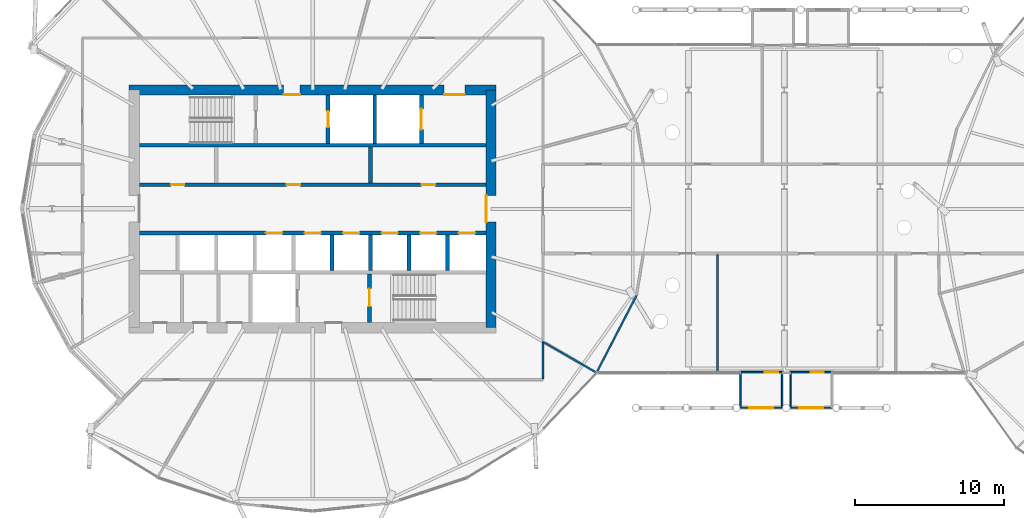
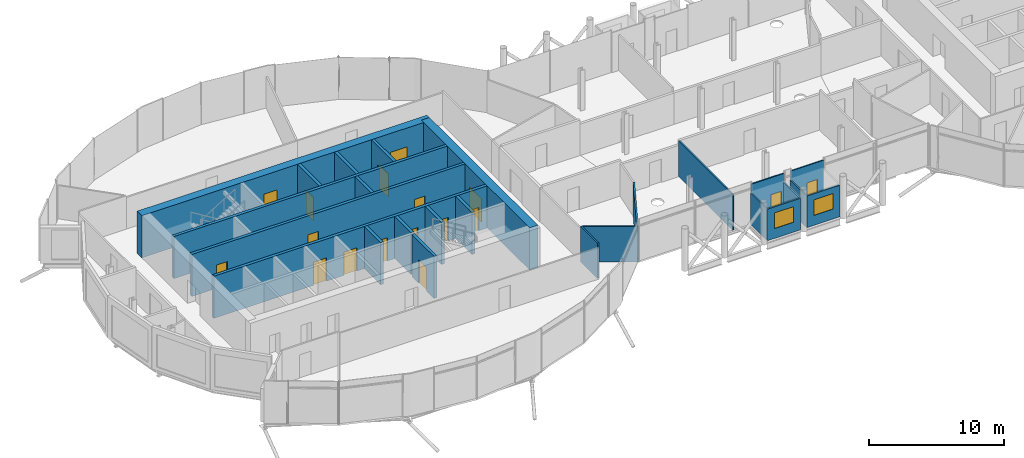
# One storey, part 25 of 39: 25 walls, 17 doors, 2 windows, 19 openings.
"""IFC4 building model written with IfcOpenShell, lengths in metres."""

from ifc_helpers import new_model, si_unit, direction, frame, frame_2d, origin, place, context, subcontext, project, spatial, rectangle, extrude, material, layer, layer_set, type_object, element, fill, save


model = new_model("IFC4")

# Units and contexts
model_context = context("Model", 3, precision=1e-05, world=origin(), true_north=direction((0.0, 1.0)))
body_context = subcontext(model_context, "Body", "Model", "MODEL_VIEW")
ifc_project = project(units=[si_unit("LENGTHUNIT", "METRE"), si_unit("AREAUNIT", "SQUARE_METRE"), si_unit("VOLUMEUNIT", "CUBIC_METRE"), si_unit("PLANEANGLEUNIT", "RADIAN"), si_unit("MASSUNIT", "GRAM", prefix="KILO")], contexts=[model_context])

# Site, building, storey
site_placement = place(None, origin())
site = spatial("IfcSite", under=ifc_project, at=site_placement, CompositionType="ELEMENT")
building_placement = place(site_placement, origin())
building = spatial("IfcBuilding", under=site, at=building_placement, Name="Rimbun Link Towers", CompositionType="ELEMENT")
storey_placement = place(building_placement, frame((0.0, 0.0, 143.0)))
storey = spatial("IfcBuildingStorey", under=building, at=storey_placement, Name="L34", CompositionType="ELEMENT", Elevation=143.0)

# Wall
ifc_material_1 = material(Name="Terracotta-faced insulated sandwich panel", Category="masonry")
ifc_layer_1 = layer(ifc_material_1, 0.10009765625)
ifc_layer_set_1 = layer_set([ifc_layer_1], Name="CAPSULE shell panel 100")
wall_type_1 = type_object("IfcWallType", Name="CAPSULE shell panel 100", PredefinedType="STANDARD", material=ifc_layer_set_1)
wall_1_placement = place(storey_placement, frame((-2.95556640625, -11.0, -0.06005859375), z_axis=(0.0, 0.0, 1.0), x_axis=(0.0, -1.0, 0.0)))
element("IfcWall", 1, at=wall_1_placement, inside=storey, type_object=wall_type_1, Name="CAPSULE F34.11 shell panel 1", PredefinedType="STANDARD", context=body_context, shape_type="SweptSolid", body=[
    extrude(rectangle(XDim=2.39990234375, YDim=0.10009765625, at=frame_2d((1.199951171875, 0.0))), origin(), (0.0, 0.0, 1.0), 2.85009765625),
])

# Wall, opening, window
wall_2_placement = place(storey_placement, frame((-2.95556640625, -13.39990234375, -0.06005859375), z_axis=(0.0, 0.0, 1.0), x_axis=(1.0, 0.0, 0.0)))
wall_2 = element("IfcWall", 2, at=wall_2_placement, inside=storey, type_object=wall_type_1, Name="CAPSULE F34.11 shell panel 2", PredefinedType="STANDARD", context=body_context, shape_type="SweptSolid", body=[
    extrude(rectangle(XDim=2.7998046875, YDim=0.10009765625, at=frame_2d((1.39990234375, 0.0))), origin(), (0.0, 0.0, 1.0), 2.85009765625),
])
opening_1_placement = place(wall_2_placement, frame((0.60009765625, 0.0, 0.89990234375)))
opening_1 = element("IfcOpeningElement", 3, at=opening_1_placement, cuts=wall_2, Name="Opening CN34.11", PredefinedType="OPENING", context=body_context, shape_type="SweptSolid", body=[
    extrude(rectangle(XDim=1.60009765625, YDim=1.39990234375, at=frame_2d((0.800048828125, 0.699951171875))), frame((0.0, 0.06005859375, 0.0), z_axis=(0.0, -1.0, 0.0), x_axis=(1.0, 0.0, 0.0)), (0.0, 0.0, 1.0), 0.1201171875),
])
ifc_material_2 = material(Name="Aluminium framed window, low-iron glass", Category="aluminium")
window_type = type_object("IfcWindowType", Name="CAPSULE window 1600X1400", PartitioningType="SINGLE_PANEL", PredefinedType="WINDOW", material=ifc_material_2)
window_1_placement = place(opening_1_placement, origin())
window_1 = element("IfcWindow", 4, at=window_1_placement, inside=storey, type_object=window_type, Name="CAPSULE F34.11 window", OverallHeight=1.39990234375, OverallWidth=1.60009765625, PartitioningType="SINGLE_PANEL", PredefinedType="WINDOW", context=body_context, shape_type="SweptSolid", body=[
    extrude(rectangle(XDim=1.60009765625, YDim=1.39990234375, at=frame_2d((0.800048828125, 0.699951171875))), frame((0.0, 0.030029296875, 0.0), z_axis=(0.0, -1.0, 0.0), x_axis=(1.0, 0.0, 0.0)), (0.0, 0.0, 1.0), 0.06005859375),
])
fill(opening_1, window_1)

# Wall
wall_3_placement = place(storey_placement, frame((-0.15576171875, -13.39990234375, -0.06005859375), z_axis=(0.0, 0.0, 1.0), x_axis=(0.0, 1.0, 0.0)))
element("IfcWall", 5, at=wall_3_placement, inside=storey, type_object=wall_type_1, Name="CAPSULE F34.11 shell panel 3", PredefinedType="STANDARD", context=body_context, shape_type="SweptSolid", body=[
    extrude(rectangle(XDim=2.39990234375, YDim=0.10009765625, at=frame_2d((1.199951171875, 0.0))), origin(), (0.0, 0.0, 1.0), 2.85009765625),
])

# Wall, opening, door
wall_4_placement = place(storey_placement, frame((-0.15576171875, -11.0, -0.06005859375), z_axis=(0.0, 0.0, 1.0), x_axis=(-1.0, 0.0, 0.0)))
wall_4 = element("IfcWall", 6, at=wall_4_placement, inside=storey, type_object=wall_type_1, Name="CAPSULE F34.11 shell panel 4", PredefinedType="STANDARD", context=body_context, shape_type="SweptSolid", body=[
    extrude(rectangle(XDim=2.7998046875, YDim=0.10009765625, at=frame_2d((1.39990234375, 0.0))), origin(), (0.0, 0.0, 1.0), 3.64013671875),
])
opening_2_placement = place(wall_4_placement, frame((0.25, 0.0, 0.0)))
opening_2 = element("IfcOpeningElement", 7, at=opening_2_placement, cuts=wall_4, Name="Opening CD34.11", PredefinedType="OPENING", context=body_context, shape_type="SweptSolid", body=[
    extrude(rectangle(XDim=0.89990234375, YDim=2.10009765625, at=frame_2d((0.449951171875, 1.050048828125))), frame((0.0, 0.06005859375, 0.0), z_axis=(0.0, -1.0, 0.0), x_axis=(1.0, 0.0, 0.0)), (0.0, 0.0, 1.0), 0.1201171875),
])
ifc_material_3 = material(Name="Aluminium framed insulated door leaf", Category="aluminium")
door_type_1 = type_object("IfcDoorType", Name="CAPSULE door single leaf 900X2100", OperationType="SINGLE_SWING_LEFT", PredefinedType="DOOR", material=ifc_material_3)
door_1_placement = place(opening_2_placement, origin())
door_1 = element("IfcDoor", 8, at=door_1_placement, inside=storey, type_object=door_type_1, Name="CAPSULE F34.11 door", OperationType="SINGLE_SWING_RIGHT", OverallHeight=2.10009765625, OverallWidth=0.89990234375, PredefinedType="DOOR", context=body_context, shape_type="SweptSolid", body=[
    extrude(rectangle(XDim=0.89990234375, YDim=2.10009765625, at=frame_2d((0.449951171875, 1.050048828125))), frame((0.0, 0.02490234375, 0.0), z_axis=(0.0, -1.0, 0.0), x_axis=(1.0, 0.0, 0.0)), (0.0, 0.0, 1.0), 0.050048828125),
])
fill(opening_2, door_1)

# Wall
wall_5_placement = place(storey_placement, frame((0.413330078125, -11.0, -0.06005859375), z_axis=(0.0, 0.0, 1.0), x_axis=(0.0, -1.0, 0.0)))
element("IfcWall", 9, at=wall_5_placement, inside=storey, type_object=wall_type_1, Name="CAPSULE F34.12 shell panel 1", PredefinedType="STANDARD", context=body_context, shape_type="SweptSolid", body=[
    extrude(rectangle(XDim=2.39990234375, YDim=0.10009765625, at=frame_2d((1.199951171875, 0.0))), origin(), (0.0, 0.0, 1.0), 2.85009765625),
])

# Wall, opening, window
wall_6_placement = place(storey_placement, frame((0.413330078125, -13.39990234375, -0.06005859375), z_axis=(0.0, 0.0, 1.0), x_axis=(1.0, 0.0, 0.0)))
wall_6 = element("IfcWall", 10, at=wall_6_placement, inside=storey, type_object=wall_type_1, Name="CAPSULE F34.12 shell panel 2", PredefinedType="STANDARD", context=body_context, shape_type="SweptSolid", body=[
    extrude(rectangle(XDim=2.800048828125, YDim=0.10009765625, at=frame_2d((1.39990234375, 0.0))), origin(), (0.0, 0.0, 1.0), 2.85009765625),
])
opening_3_placement = place(wall_6_placement, frame((0.60009765625, 0.0, 0.89990234375)))
opening_3 = element("IfcOpeningElement", 11, at=opening_3_placement, cuts=wall_6, Name="Opening CN34.12", PredefinedType="OPENING", context=body_context, shape_type="SweptSolid", body=[
    extrude(rectangle(XDim=1.60009765625, YDim=1.39990234375, at=frame_2d((0.800048828125, 0.699951171875))), frame((0.0, 0.06005859375, 0.0), z_axis=(0.0, -1.0, 0.0), x_axis=(1.0, 0.0, 0.0)), (0.0, 0.0, 1.0), 0.1201171875),
])
window_2_placement = place(opening_3_placement, origin())
window_2 = element("IfcWindow", 12, at=window_2_placement, inside=storey, type_object=window_type, Name="CAPSULE F34.12 window", OverallHeight=1.39990234375, OverallWidth=1.60009765625, PartitioningType="SINGLE_PANEL", PredefinedType="WINDOW", context=body_context, shape_type="SweptSolid", body=[
    extrude(rectangle(XDim=1.60009765625, YDim=1.39990234375, at=frame_2d((0.800048828125, 0.699951171875))), frame((0.0, 0.030029296875, 0.0), z_axis=(0.0, -1.0, 0.0), x_axis=(1.0, 0.0, 0.0)), (0.0, 0.0, 1.0), 0.06005859375),
])
fill(opening_3, window_2)

# Wall, opening, door
wall_7_placement = place(storey_placement, frame((3.21337890625, -11.0, -0.06005859375), z_axis=(0.0, 0.0, 1.0), x_axis=(-1.0, 0.0, 0.0)))
wall_7 = element("IfcWall", 13, at=wall_7_placement, inside=storey, type_object=wall_type_1, Name="CAPSULE F34.12 shell panel 4", PredefinedType="STANDARD", context=body_context, shape_type="SweptSolid", body=[
    extrude(rectangle(XDim=2.800048828125, YDim=0.10009765625, at=frame_2d((1.39990234375, 0.0))), origin(), (0.0, 0.0, 1.0), 3.64013671875),
])
opening_4_placement = place(wall_7_placement, frame((0.550048828125, 0.0, 0.0)))
opening_4 = element("IfcOpeningElement", 14, at=opening_4_placement, cuts=wall_7, Name="Opening CD34.12", PredefinedType="OPENING", context=body_context, shape_type="SweptSolid", body=[
    extrude(rectangle(XDim=0.89990234375, YDim=2.10009765625, at=frame_2d((0.449951171875, 1.050048828125))), frame((0.0, 0.06005859375, 0.0), z_axis=(0.0, -1.0, 0.0), x_axis=(1.0, 0.0, 0.0)), (0.0, 0.0, 1.0), 0.1201171875),
])
door_2_placement = place(opening_4_placement, origin())
door_2 = element("IfcDoor", 15, at=door_2_placement, inside=storey, type_object=door_type_1, Name="CAPSULE F34.12 door", OperationType="SINGLE_SWING_LEFT", OverallHeight=2.10009765625, OverallWidth=0.89990234375, PredefinedType="DOOR", context=body_context, shape_type="SweptSolid", body=[
    extrude(rectangle(XDim=0.89990234375, YDim=2.10009765625, at=frame_2d((0.449951171875, 1.050048828125))), frame((0.0, 0.02490234375, 0.0), z_axis=(0.0, -1.0, 0.0), x_axis=(1.0, 0.0, 0.0)), (0.0, 0.0, 1.0), 0.050048828125),
])
fill(opening_4, door_2)

# Wall, openings, doors
ifc_material_4 = material(Name="Concrete C60/75", Category="concrete")
ifc_layer_2 = layer(ifc_material_4, 0.699951171875)
ifc_layer_set_2 = layer_set([ifc_layer_2], Name="Core shear wall 700")
wall_type_2 = type_object("IfcWallType", Name="Core shear wall 700", PredefinedType="SHEAR", material=ifc_layer_set_2)
wall_8_placement = place(storey_placement, frame((-44.10009765625, 8.0, 0.0), z_axis=(0.0, 0.0, 1.0), x_axis=(1.0, 0.0, 0.0)))
wall_8 = element("IfcWall", 16, at=wall_8_placement, inside=storey, type_object=wall_type_2, Name="L34 T1 core wall N", PredefinedType="SHEAR", context=body_context, shape_type="SweptSolid", body=[
    extrude(rectangle(XDim=24.7001953125, YDim=0.699951171875, at=frame_2d((12.35009765625, 0.0))), origin(), (0.0, 0.0, 1.0), 3.800048828125),
])
opening_5_placement = place(wall_8_placement, frame((10.39990234375, 0.0, 0.0)))
opening_5 = element("IfcOpeningElement", 17, at=opening_5_placement, cuts=wall_8, Name="Opening C1DCF01N", PredefinedType="OPENING", context=body_context, shape_type="SweptSolid", body=[
    extrude(rectangle(XDim=1.10009765625, YDim=2.10009765625, at=frame_2d((0.550048828125, 1.050048828125))), frame((0.0, 0.35986328125, 0.0), z_axis=(0.0, -1.0, 0.0), x_axis=(1.0, 0.0, 0.0)), (0.0, 0.0, 1.0), 0.719970703125),
])
opening_6_placement = place(wall_8_placement, frame((21.199951171875, 0.0, 0.0)))
opening_6 = element("IfcOpeningElement", 18, at=opening_6_placement, cuts=wall_8, Name="Opening C1DSL02N", PredefinedType="OPENING", context=body_context, shape_type="SweptSolid", body=[
    extrude(rectangle(XDim=1.39990234375, YDim=2.10009765625, at=frame_2d((0.699951171875, 1.050048828125))), frame((0.0, 0.35986328125, 0.0), z_axis=(0.0, -1.0, 0.0), x_axis=(1.0, 0.0, 0.0)), (0.0, 0.0, 1.0), 0.719970703125),
])
ifc_material_5 = material(Name="Steel fire door set", Category="steel")
door_type_2 = type_object("IfcDoorType", Name="Core fire door single", OperationType="SINGLE_SWING_LEFT", PredefinedType="DOOR", material=ifc_material_5)
door_3_placement = place(opening_5_placement, origin())
door_3 = element("IfcDoor", 19, at=door_3_placement, inside=storey, type_object=door_type_2, Name="L34 T1 firefighting lobby n door", OperationType="SINGLE_SWING_LEFT", OverallHeight=2.10009765625, OverallWidth=1.10009765625, PredefinedType="DOOR", context=body_context, shape_type="SweptSolid", body=[
    extrude(rectangle(XDim=1.10009765625, YDim=2.10009765625, at=frame_2d((0.550048828125, 1.050048828125))), frame((0.0, -0.2998046875, 0.0), z_axis=(0.0, -1.0, 0.0), x_axis=(1.0, 0.0, 0.0)), (0.0, 0.0, 1.0), 0.050048828125),
])
fill(opening_5, door_3)
ifc_material_6 = material(Name="Steel fire door set", Category="steel")
door_type_3 = type_object("IfcDoorType", Name="Service lobby door double", OperationType="DOUBLE_DOOR_SINGLE_SWING", PredefinedType="DOOR", material=ifc_material_6)
door_4_placement = place(opening_6_placement, origin())
door_4 = element("IfcDoor", 20, at=door_4_placement, inside=storey, type_object=door_type_3, Name="L34 T1 service lobby door", OperationType="DOUBLE_DOOR_SINGLE_SWING", OverallHeight=2.10009765625, OverallWidth=1.39990234375, PredefinedType="DOOR", context=body_context, shape_type="SweptSolid", body=[
    extrude(rectangle(XDim=1.39990234375, YDim=2.10009765625, at=frame_2d((0.699951171875, 1.050048828125))), frame((0.0, -0.2998046875, 0.0), z_axis=(0.0, -1.0, 0.0), x_axis=(1.0, 0.0, 0.0)), (0.0, 0.0, 1.0), 0.050048828125),
])
fill(opening_6, door_4)

# Wall, opening, door
wall_9_placement = place(storey_placement, frame((-19.75, -8.0, 0.0), z_axis=(0.0, 0.0, 1.0), x_axis=(0.0, 1.0, 0.0)))
wall_9 = element("IfcWall", 21, at=wall_9_placement, inside=storey, type_object=wall_type_2, Name="L34 T1 core wall E", PredefinedType="SHEAR", context=body_context, shape_type="SweptSolid", body=[
    extrude(rectangle(XDim=16.0, YDim=0.699951171875, at=frame_2d((8.0, 0.0))), origin(), (0.0, 0.0, 1.0), 3.800048828125),
])
opening_7_placement = place(wall_9_placement, frame((7.10009765625, 0.0, 0.0)))
opening_7 = element("IfcOpeningElement", 22, at=opening_7_placement, cuts=wall_9, Name="Opening C1DCL01E", PredefinedType="OPENING", context=body_context, shape_type="SweptSolid", body=[
    extrude(rectangle(XDim=1.800048828125, YDim=2.10009765625, at=frame_2d((0.89990234375, 1.050048828125))), frame((0.0, 0.35986328125, 0.0), z_axis=(0.0, -1.0, 0.0), x_axis=(1.0, 0.0, 0.0)), (0.0, 0.0, 1.0), 0.719970703125),
])
ifc_material_7 = material(Name="Steel fire door set", Category="steel")
door_type_4 = type_object("IfcDoorType", Name="Core lobby door double", OperationType="DOUBLE_DOOR_SINGLE_SWING", PredefinedType="DOOR", material=ifc_material_7)
door_5_placement = place(opening_7_placement, origin())
door_5 = element("IfcDoor", 23, at=door_5_placement, inside=storey, type_object=door_type_4, Name="L34 T1 lift lobby door", OperationType="DOUBLE_DOOR_SINGLE_SWING", OverallHeight=2.10009765625, OverallWidth=1.800048828125, PredefinedType="DOOR", context=body_context, shape_type="SweptSolid", body=[
    extrude(rectangle(XDim=1.800048828125, YDim=2.10009765625, at=frame_2d((0.89990234375, 1.050048828125))), frame((0.0, 0.35009765625, 0.0), z_axis=(0.0, -1.0, 0.0), x_axis=(1.0, 0.0, 0.0)), (0.0, 0.0, 1.0), 0.050048828125),
])
fill(opening_7, door_5)

# Walls
ifc_material_8 = material(Name="Gypsum board on steel studs", Category="steel")
ifc_layer_3 = layer(ifc_material_8, 0.125)
ifc_layer_set_3 = layer_set([ifc_layer_3], Name="Partition 125 board on studs")
wall_type_3 = type_object("IfcWallType", Name="Partition 125 board on studs", PredefinedType="PARTITIONING", material=ifc_layer_set_3)
wall_10_placement = place(storey_placement, frame((-16.25, -11.4375, 0.0), z_axis=(0.0, 0.0, 1.0), x_axis=(0.0, 1.0, 0.0)))
element("IfcWall", 24, at=wall_10_placement, inside=storey, type_object=wall_type_3, Name="TW/PW/L34/013", PredefinedType="PARTITIONING", context=body_context, shape_type="SweptSolid", body=[
    extrude(rectangle(XDim=2.488525390625, YDim=0.125, at=frame_2d((1.244140625, 0.0))), origin(), (0.0, 0.0, 1.0), 3.194091796875),
])
wall_11_placement = place(storey_placement, frame((-12.634521484375, -11.036376953125, 0.0), z_axis=(0.0, 0.0, 1.0), x_axis=(-0.866032621252, 0.499987498772, 0.0)))
element("IfcWall", 25, at=wall_11_placement, inside=storey, type_object=wall_type_3, Name="TW/PW/L34/028", PredefinedType="PARTITIONING", context=body_context, shape_type="SweptSolid", body=[
    extrude(rectangle(XDim=4.06640625, YDim=0.125, at=frame_2d((2.033203125, 0.0))), origin(), (0.0, 0.0, 1.0), 3.194091796875),
])
wall_12_placement = place(storey_placement, frame((-12.663818359375, -11.071044921875, 0.0), z_axis=(0.0, 0.0, 1.0), x_axis=(0.459568637938, 0.888142256074, 0.0)))
element("IfcWall", 26, at=wall_12_placement, inside=storey, type_object=wall_type_3, Name="TW/PW/L34/031", PredefinedType="PARTITIONING", context=body_context, shape_type="SweptSolid", body=[
    extrude(rectangle(XDim=5.970703125, YDim=0.125, at=frame_2d((2.9853515625, 0.0))), origin(), (0.0, 0.0, 1.0), 2.9970703125),
])
wall_13_placement = place(storey_placement, frame((-4.5, -11.080078125, 0.0), z_axis=(0.0, 0.0, 1.0), x_axis=(0.0, 1.0, 0.0)))
element("IfcWall", 27, at=wall_13_placement, inside=storey, type_object=wall_type_3, Name="TW/PW/L34/066", PredefinedType="PARTITIONING", context=body_context, shape_type="SweptSolid", body=[
    extrude(rectangle(XDim=7.97998046875, YDim=0.125, at=frame_2d((3.989990234375, 0.0))), origin(), (0.0, 0.0, 1.0), 3.214111328125),
])
ifc_material_9 = material(Name="Concrete C60/75", Category="concrete")
ifc_layer_4 = layer(ifc_material_9, 0.25)
ifc_layer_set_4 = layer_set([ifc_layer_4], Name="Shaft wall 250")
wall_type_4 = type_object("IfcWallType", Name="Shaft wall 250", PredefinedType="SHEAR", material=ifc_layer_set_4)
wall_14_placement = place(storey_placement, frame((-43.39990234375, 4.27490234375, 0.0), z_axis=(0.0, 0.0, 1.0), x_axis=(1.0, 0.0, 0.0)))
element("IfcWall", 28, at=wall_14_placement, inside=storey, type_object=wall_type_4, Name="L34 T1 core wall BN", PredefinedType="SHEAR", context=body_context, shape_type="SweptSolid", body=[
    extrude(rectangle(XDim=23.2998046875, YDim=0.25, at=frame_2d((11.64990234375, 0.0))), origin(), (0.0, 0.0, 1.0), 3.800048828125),
])

# Wall, openings, doors
wall_15_placement = place(storey_placement, frame((-43.39990234375, 1.625, 0.0), z_axis=(0.0, 0.0, 1.0), x_axis=(1.0, 0.0, 0.0)))
wall_15 = element("IfcWall", 29, at=wall_15_placement, inside=storey, type_object=wall_type_4, Name="L34 T1 core wall FN", PredefinedType="SHEAR", context=body_context, shape_type="SweptSolid", body=[
    extrude(rectangle(XDim=23.2998046875, YDim=0.25, at=frame_2d((11.64990234375, 0.0))), origin(), (0.0, 0.0, 1.0), 3.800048828125),
])
opening_8_placement = place(wall_15_placement, frame((2.119384765625, 0.0, 0.0)))
opening_8 = element("IfcOpeningElement", 30, at=opening_8_placement, cuts=wall_15, Name="Opening C1DRS01FN", PredefinedType="OPENING", context=body_context, shape_type="SweptSolid", body=[
    extrude(rectangle(XDim=0.89990234375, YDim=2.10009765625, at=frame_2d((0.449951171875, 1.050048828125))), frame((0.0, 0.135009765625, 0.0), z_axis=(0.0, -1.0, 0.0), x_axis=(1.0, 0.0, 0.0)), (0.0, 0.0, 1.0), 0.27001953125),
])
opening_9_placement = place(wall_15_placement, frame((9.90283203125, 0.0, 0.0)))
opening_9 = element("IfcOpeningElement", 31, at=opening_9_placement, cuts=wall_15, Name="Opening C1DRS02FN", PredefinedType="OPENING", context=body_context, shape_type="SweptSolid", body=[
    extrude(rectangle(XDim=0.89990234375, YDim=2.10009765625, at=frame_2d((0.449951171875, 1.050048828125))), frame((0.0, 0.135009765625, 0.0), z_axis=(0.0, -1.0, 0.0), x_axis=(1.0, 0.0, 0.0)), (0.0, 0.0, 1.0), 0.27001953125),
])
opening_10_placement = place(wall_15_placement, frame((18.9833984375, 0.0, 0.0)))
opening_10 = element("IfcOpeningElement", 32, at=opening_10_placement, cuts=wall_15, Name="Opening C1DRS03FN", PredefinedType="OPENING", context=body_context, shape_type="SweptSolid", body=[
    extrude(rectangle(XDim=0.89990234375, YDim=2.10009765625, at=frame_2d((0.449951171875, 1.050048828125))), frame((0.0, 0.135009765625, 0.0), z_axis=(0.0, -1.0, 0.0), x_axis=(1.0, 0.0, 0.0)), (0.0, 0.0, 1.0), 0.27001953125),
])
ifc_material_10 = material(Name="Steel fire door set", Category="steel")
door_type_5 = type_object("IfcDoorType", Name="Core riser door", OperationType="SINGLE_SWING_LEFT", PredefinedType="DOOR", material=ifc_material_10)
door_6_placement = place(opening_8_placement, origin())
door_6 = element("IfcDoor", 33, at=door_6_placement, inside=storey, type_object=door_type_5, Name="L34 T1 print room door", OperationType="SINGLE_SWING_RIGHT", OverallHeight=2.10009765625, OverallWidth=0.89990234375, PredefinedType="DOOR", context=body_context, shape_type="SweptSolid", body=[
    extrude(rectangle(XDim=0.89990234375, YDim=2.10009765625, at=frame_2d((0.449951171875, 1.050048828125))), frame((0.0, 0.02490234375, 0.0), z_axis=(0.0, -1.0, 0.0), x_axis=(1.0, 0.0, 0.0)), (0.0, 0.0, 1.0), 0.050048828125),
])
fill(opening_8, door_6)
door_7_placement = place(opening_9_placement, origin())
door_7 = element("IfcDoor", 34, at=door_7_placement, inside=storey, type_object=door_type_5, Name="L34 T1 services room door", OperationType="SINGLE_SWING_LEFT", OverallHeight=2.10009765625, OverallWidth=0.89990234375, PredefinedType="DOOR", context=body_context, shape_type="SweptSolid", body=[
    extrude(rectangle(XDim=0.89990234375, YDim=2.10009765625, at=frame_2d((0.449951171875, 1.050048828125))), frame((0.0, 0.02490234375, 0.0), z_axis=(0.0, -1.0, 0.0), x_axis=(1.0, 0.0, 0.0)), (0.0, 0.0, 1.0), 0.050048828125),
])
fill(opening_9, door_7)
door_8_placement = place(opening_10_placement, origin())
door_8 = element("IfcDoor", 35, at=door_8_placement, inside=storey, type_object=door_type_5, Name="L34 T1 records store door", OperationType="SINGLE_SWING_LEFT", OverallHeight=2.10009765625, OverallWidth=0.89990234375, PredefinedType="DOOR", context=body_context, shape_type="SweptSolid", body=[
    extrude(rectangle(XDim=0.89990234375, YDim=2.10009765625, at=frame_2d((0.449951171875, 1.050048828125))), frame((0.0, 0.02490234375, 0.0), z_axis=(0.0, -1.0, 0.0), x_axis=(1.0, 0.0, 0.0)), (0.0, 0.0, 1.0), 0.050048828125),
])
fill(opening_10, door_8)

wall_16_placement = place(storey_placement, frame((-43.39990234375, -1.625, 0.0), z_axis=(0.0, 0.0, 1.0), x_axis=(1.0, 0.0, 0.0)))
wall_16 = element("IfcWall", 36, at=wall_16_placement, inside=storey, type_object=wall_type_4, Name="L34 T1 core wall FS", PredefinedType="SHEAR", context=body_context, shape_type="SweptSolid", body=[
    extrude(rectangle(XDim=23.2998046875, YDim=0.25, at=frame_2d((11.64990234375, 0.0))), origin(), (0.0, 0.0, 1.0), 3.800048828125),
])
opening_11_placement = place(wall_16_placement, frame((8.505615234375, 0.0, 0.0)))
opening_11 = element("IfcOpeningElement", 37, at=opening_11_placement, cuts=wall_16, Name="Opening LD-T1-HR1", PredefinedType="OPENING", context=body_context, shape_type="SweptSolid", body=[
    extrude(rectangle(XDim=1.10009765625, YDim=2.10009765625, at=frame_2d((0.550048828125, 1.050048828125))), frame((0.0, 0.135009765625, 0.0), z_axis=(0.0, -1.0, 0.0), x_axis=(1.0, 0.0, 0.0)), (0.0, 0.0, 1.0), 0.27001953125),
])
opening_12_placement = place(wall_16_placement, frame((11.10009765625, 0.0, 0.0)))
opening_12 = element("IfcOpeningElement", 38, at=opening_12_placement, cuts=wall_16, Name="Opening LD-T1-HR2", PredefinedType="OPENING", context=body_context, shape_type="SweptSolid", body=[
    extrude(rectangle(XDim=1.10009765625, YDim=2.10009765625, at=frame_2d((0.550048828125, 1.050048828125))), frame((0.0, 0.135009765625, 0.0), z_axis=(0.0, -1.0, 0.0), x_axis=(1.0, 0.0, 0.0)), (0.0, 0.0, 1.0), 0.27001953125),
])
opening_13_placement = place(wall_16_placement, frame((13.6943359375, 0.0, 0.0)))
opening_13 = element("IfcOpeningElement", 39, at=opening_13_placement, cuts=wall_16, Name="Opening LD-T1-HR3", PredefinedType="OPENING", context=body_context, shape_type="SweptSolid", body=[
    extrude(rectangle(XDim=1.10009765625, YDim=2.10009765625, at=frame_2d((0.550048828125, 1.050048828125))), frame((0.0, 0.135009765625, 0.0), z_axis=(0.0, -1.0, 0.0), x_axis=(1.0, 0.0, 0.0)), (0.0, 0.0, 1.0), 0.27001953125),
])
opening_14_placement = place(wall_16_placement, frame((16.288818359375, 0.0, 0.0)))
opening_14 = element("IfcOpeningElement", 40, at=opening_14_placement, cuts=wall_16, Name="Opening LD-T1-HR4", PredefinedType="OPENING", context=body_context, shape_type="SweptSolid", body=[
    extrude(rectangle(XDim=1.10009765625, YDim=2.10009765625, at=frame_2d((0.550048828125, 1.050048828125))), frame((0.0, 0.135009765625, 0.0), z_axis=(0.0, -1.0, 0.0), x_axis=(1.0, 0.0, 0.0)), (0.0, 0.0, 1.0), 0.27001953125),
])
opening_15_placement = place(wall_16_placement, frame((18.88330078125, 0.0, 0.0)))
opening_15 = element("IfcOpeningElement", 41, at=opening_15_placement, cuts=wall_16, Name="Opening LD-T1-HR5", PredefinedType="OPENING", context=body_context, shape_type="SweptSolid", body=[
    extrude(rectangle(XDim=1.10009765625, YDim=2.10009765625, at=frame_2d((0.550048828125, 1.050048828125))), frame((0.0, 0.135009765625, 0.0), z_axis=(0.0, -1.0, 0.0), x_axis=(1.0, 0.0, 0.0)), (0.0, 0.0, 1.0), 0.27001953125),
])
opening_16_placement = place(wall_16_placement, frame((21.477783203125, 0.0, 0.0)))
opening_16 = element("IfcOpeningElement", 42, at=opening_16_placement, cuts=wall_16, Name="Opening LD-T1-HR6", PredefinedType="OPENING", context=body_context, shape_type="SweptSolid", body=[
    extrude(rectangle(XDim=1.10009765625, YDim=2.10009765625, at=frame_2d((0.550048828125, 1.050048828125))), frame((0.0, 0.135009765625, 0.0), z_axis=(0.0, -1.0, 0.0), x_axis=(1.0, 0.0, 0.0)), (0.0, 0.0, 1.0), 0.27001953125),
])
ifc_material_11 = material(Name="Stainless steel grade 316", Category="steel")
door_type_6 = type_object("IfcDoorType", Name="Lift landing door", OperationType="DOUBLE_DOOR_SLIDING", PredefinedType="DOOR", material=ifc_material_11)
door_9_placement = place(opening_11_placement, origin())
door_9 = element("IfcDoor", 43, at=door_9_placement, inside=storey, type_object=door_type_6, Name="L34 T1 lift HR1 landing door", OperationType="DOUBLE_DOOR_SLIDING", OverallHeight=2.10009765625, OverallWidth=1.10009765625, PredefinedType="DOOR", context=body_context, shape_type="SweptSolid", body=[
    extrude(rectangle(XDim=1.10009765625, YDim=2.10009765625, at=frame_2d((0.550048828125, 1.050048828125))), frame((0.0, 0.02490234375, 0.0), z_axis=(0.0, -1.0, 0.0), x_axis=(1.0, 0.0, 0.0)), (0.0, 0.0, 1.0), 0.050048828125),
])
fill(opening_11, door_9)
door_10_placement = place(opening_12_placement, origin())
door_10 = element("IfcDoor", 44, at=door_10_placement, inside=storey, type_object=door_type_6, Name="L34 T1 lift HR2 landing door", OperationType="DOUBLE_DOOR_SLIDING", OverallHeight=2.10009765625, OverallWidth=1.10009765625, PredefinedType="DOOR", context=body_context, shape_type="SweptSolid", body=[
    extrude(rectangle(XDim=1.10009765625, YDim=2.10009765625, at=frame_2d((0.550048828125, 1.050048828125))), frame((0.0, 0.02490234375, 0.0), z_axis=(0.0, -1.0, 0.0), x_axis=(1.0, 0.0, 0.0)), (0.0, 0.0, 1.0), 0.050048828125),
])
fill(opening_12, door_10)
door_11_placement = place(opening_13_placement, origin())
door_11 = element("IfcDoor", 45, at=door_11_placement, inside=storey, type_object=door_type_6, Name="L34 T1 lift HR3 landing door", OperationType="DOUBLE_DOOR_SLIDING", OverallHeight=2.10009765625, OverallWidth=1.10009765625, PredefinedType="DOOR", context=body_context, shape_type="SweptSolid", body=[
    extrude(rectangle(XDim=1.10009765625, YDim=2.10009765625, at=frame_2d((0.550048828125, 1.050048828125))), frame((0.0, 0.02490234375, 0.0), z_axis=(0.0, -1.0, 0.0), x_axis=(1.0, 0.0, 0.0)), (0.0, 0.0, 1.0), 0.050048828125),
])
fill(opening_13, door_11)
door_12_placement = place(opening_14_placement, origin())
door_12 = element("IfcDoor", 46, at=door_12_placement, inside=storey, type_object=door_type_6, Name="L34 T1 lift HR4 landing door", OperationType="DOUBLE_DOOR_SLIDING", OverallHeight=2.10009765625, OverallWidth=1.10009765625, PredefinedType="DOOR", context=body_context, shape_type="SweptSolid", body=[
    extrude(rectangle(XDim=1.10009765625, YDim=2.10009765625, at=frame_2d((0.550048828125, 1.050048828125))), frame((0.0, 0.02490234375, 0.0), z_axis=(0.0, -1.0, 0.0), x_axis=(1.0, 0.0, 0.0)), (0.0, 0.0, 1.0), 0.050048828125),
])
fill(opening_14, door_12)
door_13_placement = place(opening_15_placement, origin())
door_13 = element("IfcDoor", 47, at=door_13_placement, inside=storey, type_object=door_type_6, Name="L34 T1 lift HR5 landing door", OperationType="DOUBLE_DOOR_SLIDING", OverallHeight=2.10009765625, OverallWidth=1.10009765625, PredefinedType="DOOR", context=body_context, shape_type="SweptSolid", body=[
    extrude(rectangle(XDim=1.10009765625, YDim=2.10009765625, at=frame_2d((0.550048828125, 1.050048828125))), frame((0.0, 0.02490234375, 0.0), z_axis=(0.0, -1.0, 0.0), x_axis=(1.0, 0.0, 0.0)), (0.0, 0.0, 1.0), 0.050048828125),
])
fill(opening_15, door_13)
door_14_placement = place(opening_16_placement, origin())
door_14 = element("IfcDoor", 48, at=door_14_placement, inside=storey, type_object=door_type_6, Name="L34 T1 lift HR6 landing door", OperationType="DOUBLE_DOOR_SLIDING", OverallHeight=2.10009765625, OverallWidth=1.10009765625, PredefinedType="DOOR", context=body_context, shape_type="SweptSolid", body=[
    extrude(rectangle(XDim=1.10009765625, YDim=2.10009765625, at=frame_2d((0.550048828125, 1.050048828125))), frame((0.0, 0.02490234375, 0.0), z_axis=(0.0, -1.0, 0.0), x_axis=(1.0, 0.0, 0.0)), (0.0, 0.0, 1.0), 0.050048828125),
])
fill(opening_16, door_14)

# Walls
for number, where, z_axis, x_axis, name in (
    (49, (-27.8583984375, 1.75, 0.0), (0.0, 0.0, 1.0), (0.0, 1.0, 0.0), "L34 T1 core wall DN5"),
    (50, (-30.452880859375, -4.14990234375, 0.0), (0.0, 0.0, 1.0), (0.0, 1.0, 0.0), "L34 T1 core wall DS4"),
    (51, (-27.8583984375, -4.14990234375, 0.0), (0.0, 0.0, 1.0), (0.0, 1.0, 0.0), "L34 T1 core wall DS5"),
    (52, (-25.263916015625, -4.14990234375, 0.0), (0.0, 0.0, 1.0), (0.0, 1.0, 0.0), "L34 T1 core wall DS6"),
    (53, (-22.66943359375, -4.14990234375, 0.0), (0.0, 0.0, 1.0), (0.0, 1.0, 0.0), "L34 T1 core wall DS7"),
):
    element("IfcWall", number, at=place(storey_placement, frame(where, z_axis=z_axis, x_axis=x_axis)), inside=storey, type_object=wall_type_4, Name=name, PredefinedType="SHEAR", context=body_context, shape_type="SweptSolid", body=[
        extrude(rectangle(XDim=2.39990234375, YDim=0.25, at=frame_2d((1.199951171875, 0.0))), origin(), (0.0, 0.0, 1.0), 3.800048828125),
    ])

# Wall, opening, door
wall_17_placement = place(storey_placement, frame((-30.72509765625, 4.39990234375, 0.0), z_axis=(0.0, 0.0, 1.0), x_axis=(0.0, 1.0, 0.0)))
wall_17 = element("IfcWall", 54, at=wall_17_placement, inside=storey, type_object=wall_type_4, Name="L34 T1 core wall A2", PredefinedType="SHEAR", context=body_context, shape_type="SweptSolid", body=[
    extrude(rectangle(XDim=3.25, YDim=0.25, at=frame_2d((1.625, 0.0))), origin(), (0.0, 0.0, 1.0), 3.800048828125),
])
opening_17_placement = place(wall_17_placement, frame((1.074951171875, 0.0, 0.0)))
opening_17 = element("IfcOpeningElement", 55, at=opening_17_placement, cuts=wall_17, Name="Opening LD-T1-FF1", PredefinedType="OPENING", context=body_context, shape_type="SweptSolid", body=[
    extrude(rectangle(XDim=1.10009765625, YDim=2.10009765625, at=frame_2d((0.550048828125, 1.050048828125))), frame((0.0, 0.135009765625, 0.0), z_axis=(0.0, -1.0, 0.0), x_axis=(1.0, 0.0, 0.0)), (0.0, 0.0, 1.0), 0.27001953125),
])
door_15_placement = place(opening_17_placement, origin())
door_15 = element("IfcDoor", 56, at=door_15_placement, inside=storey, type_object=door_type_6, Name="L34 T1 lift FF1 landing door", OperationType="DOUBLE_DOOR_SLIDING", OverallHeight=2.10009765625, OverallWidth=1.10009765625, PredefinedType="DOOR", context=body_context, shape_type="SweptSolid", body=[
    extrude(rectangle(XDim=1.10009765625, YDim=2.10009765625, at=frame_2d((0.550048828125, 1.050048828125))), frame((0.0, 0.02490234375, 0.0), z_axis=(0.0, -1.0, 0.0), x_axis=(1.0, 0.0, 0.0)), (0.0, 0.0, 1.0), 0.050048828125),
])
fill(opening_17, door_15)

# Wall
wall_18_placement = place(storey_placement, frame((-27.574951171875, 4.39990234375, 0.0), z_axis=(0.0, 0.0, 1.0), x_axis=(0.0, 1.0, 0.0)))
element("IfcWall", 57, at=wall_18_placement, inside=storey, type_object=wall_type_4, Name="L34 T1 core wall A3", PredefinedType="SHEAR", context=body_context, shape_type="SweptSolid", body=[
    extrude(rectangle(XDim=3.25, YDim=0.25, at=frame_2d((1.625, 0.0))), origin(), (0.0, 0.0, 1.0), 3.800048828125),
])

# Wall, opening, door
wall_19_placement = place(storey_placement, frame((-24.425048828125, 4.39990234375, 0.0), z_axis=(0.0, 0.0, 1.0), x_axis=(0.0, 1.0, 0.0)))
wall_19 = element("IfcWall", 58, at=wall_19_placement, inside=storey, type_object=wall_type_4, Name="L34 T1 core wall A4", PredefinedType="SHEAR", context=body_context, shape_type="SweptSolid", body=[
    extrude(rectangle(XDim=3.25, YDim=0.25, at=frame_2d((1.625, 0.0))), origin(), (0.0, 0.0, 1.0), 3.800048828125),
])
opening_18_placement = place(wall_19_placement, frame((0.925048828125, 0.0, 0.0)))
opening_18 = element("IfcOpeningElement", 59, at=opening_18_placement, cuts=wall_19, Name="Opening LD-T1-GL1", PredefinedType="OPENING", context=body_context, shape_type="SweptSolid", body=[
    extrude(rectangle(XDim=1.39990234375, YDim=2.10009765625, at=frame_2d((0.699951171875, 1.050048828125))), frame((0.0, 0.135009765625, 0.0), z_axis=(0.0, -1.0, 0.0), x_axis=(1.0, 0.0, 0.0)), (0.0, 0.0, 1.0), 0.27001953125),
])
ifc_material_12 = material(Name="Stainless steel grade 316", Category="steel")
door_type_7 = type_object("IfcDoorType", Name="Goods lift landing door", OperationType="DOUBLE_DOOR_SLIDING", PredefinedType="DOOR", material=ifc_material_12)
door_16_placement = place(opening_18_placement, origin())
door_16 = element("IfcDoor", 60, at=door_16_placement, inside=storey, type_object=door_type_7, Name="L34 T1 lift GL1 landing door", OperationType="DOUBLE_DOOR_SLIDING", OverallHeight=2.10009765625, OverallWidth=1.39990234375, PredefinedType="DOOR", context=body_context, shape_type="SweptSolid", body=[
    extrude(rectangle(XDim=1.39990234375, YDim=2.10009765625, at=frame_2d((0.699951171875, 1.050048828125))), frame((0.0, 0.02490234375, 0.0), z_axis=(0.0, -1.0, 0.0), x_axis=(1.0, 0.0, 0.0)), (0.0, 0.0, 1.0), 0.050048828125),
])
fill(opening_18, door_16)

wall_20_placement = place(storey_placement, frame((-27.925048828125, -4.39990234375, 0.0), z_axis=(0.0, 0.0, 1.0), x_axis=(0.0, -1.0, 0.0)))
wall_20 = element("IfcWall", 61, at=wall_20_placement, inside=storey, type_object=wall_type_4, Name="L34 T1 core wall B1", PredefinedType="SHEAR", context=body_context, shape_type="SweptSolid", body=[
    extrude(rectangle(XDim=3.25, YDim=0.25, at=frame_2d((1.625, 0.0))), origin(), (0.0, 0.0, 1.0), 3.800048828125),
])
opening_19_placement = place(wall_20_placement, frame((0.97509765625, 0.0, 0.0)))
opening_19 = element("IfcOpeningElement", 62, at=opening_19_placement, cuts=wall_20, Name="Opening C1DST01B1", PredefinedType="OPENING", context=body_context, shape_type="SweptSolid", body=[
    extrude(rectangle(XDim=1.199951171875, YDim=2.10009765625, at=frame_2d((0.60009765625, 1.050048828125))), frame((0.0, 0.135009765625, 0.0), z_axis=(0.0, -1.0, 0.0), x_axis=(1.0, 0.0, 0.0)), (0.0, 0.0, 1.0), 0.27001953125),
])
ifc_material_13 = material(Name="Steel fire door set", Category="steel")
door_type_8 = type_object("IfcDoorType", Name="Stair door", OperationType="SINGLE_SWING_LEFT", PredefinedType="DOOR", material=ifc_material_13)
door_17_placement = place(opening_19_placement, origin())
door_17 = element("IfcDoor", 63, at=door_17_placement, inside=storey, type_object=door_type_8, Name="L34 T1 stair b door", OperationType="SINGLE_SWING_RIGHT", OverallHeight=2.10009765625, OverallWidth=1.199951171875, PredefinedType="DOOR", context=body_context, shape_type="SweptSolid", body=[
    extrude(rectangle(XDim=1.199951171875, YDim=2.10009765625, at=frame_2d((0.60009765625, 1.050048828125))), frame((0.0, 0.02490234375, 0.0), z_axis=(0.0, -1.0, 0.0), x_axis=(1.0, 0.0, 0.0)), (0.0, 0.0, 1.0), 0.050048828125),
])
fill(opening_19, door_17)

save(model, "model.ifc")
